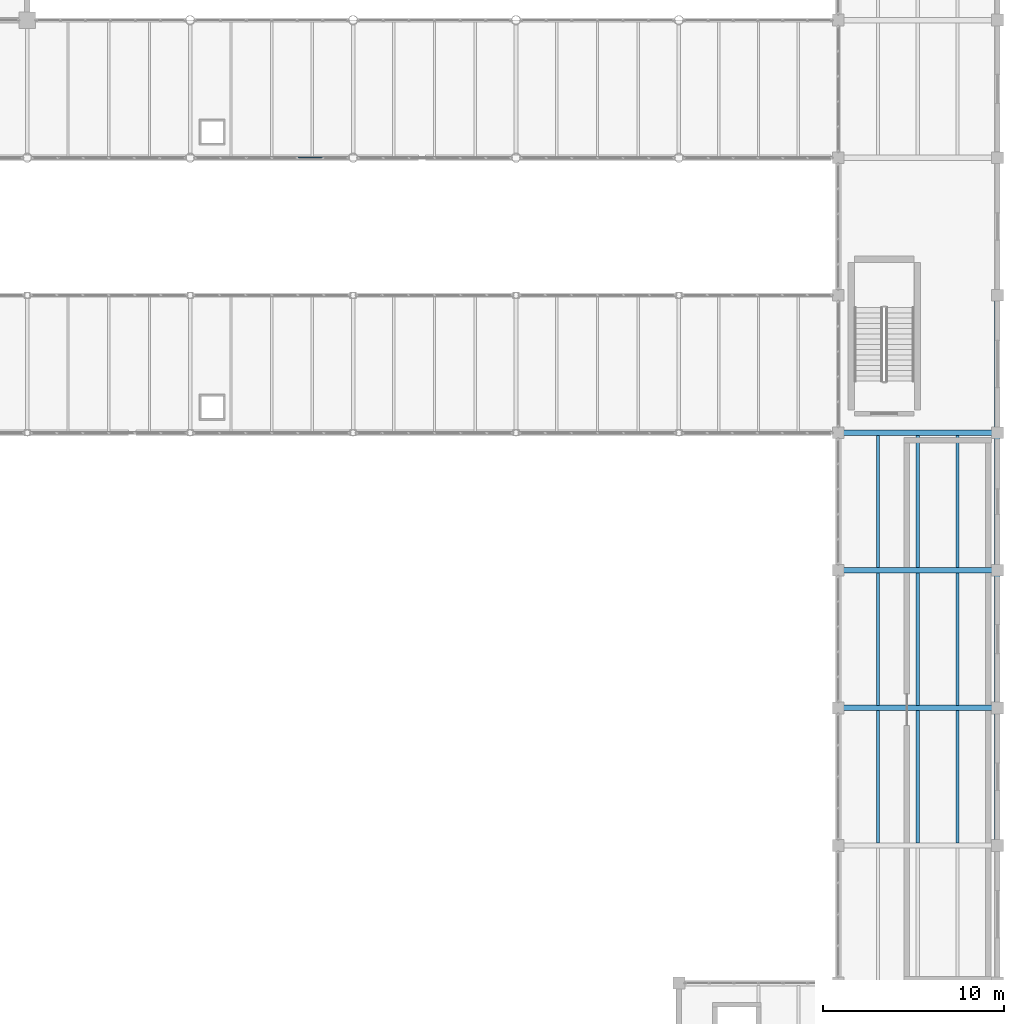
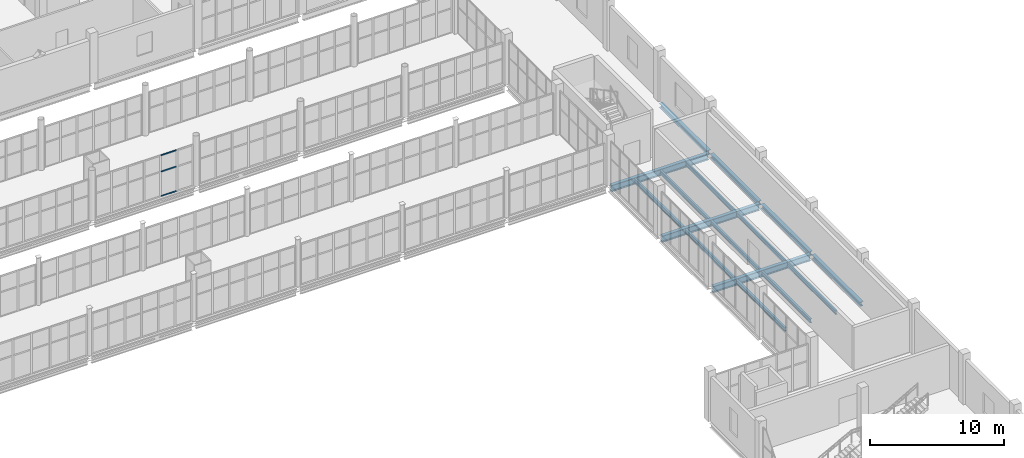
# One storey, part 109 of 172: 16 beams, 3 members, 1 element without a shape of its own.
"""IFC4 building model written with IfcOpenShell, lengths in metres."""

from ifc_helpers import new_model, si_unit, direction, frame, origin, origin_2d, place, context, subcontext, project, spatial, hollow_rectangle, i_section, extrude, material, material_profile, profile_set, type_object, element, aggregate, save


model = new_model("IFC4")

# Units and contexts
model_context = context("Model", 3, precision=1e-05, world=origin(), true_north=direction((0.0, 1.0)))
body_context = subcontext(model_context, "Body", "Model", "MODEL_VIEW")
ifc_project = project(units=[si_unit("LENGTHUNIT", "METRE"), si_unit("AREAUNIT", "SQUARE_METRE"), si_unit("VOLUMEUNIT", "CUBIC_METRE"), si_unit("PLANEANGLEUNIT", "RADIAN"), si_unit("MASSUNIT", "GRAM", prefix="KILO")], contexts=[model_context])

# Site, building, storey
site_placement = place(None, origin())
site = spatial("IfcSite", under=ifc_project, at=site_placement, CompositionType="ELEMENT")
building_placement = place(site_placement, origin())
building = spatial("IfcBuilding", under=site, at=building_placement, Name="Shengluoqiao Park Theatre", CompositionType="ELEMENT")
storey_placement = place(building_placement, frame((0.0, 0.0, 5.39990234375)))
storey = spatial("IfcBuildingStorey", under=building, at=storey_placement, Name="L01", CompositionType="ELEMENT", Elevation=5.39990234375)

# Curtain wall, members
ifc_material_1 = material(Name="Aluminium 6063-T6", Category="aluminium")
curtain_wall_type = type_object("IfcCurtainWallType", Name="ENV-CW-BRIDGE", PredefinedType="NOTDEFINED", material=ifc_material_1)
curtain_wall_placement = place(storey_placement, origin())
curtain_wall = element("IfcCurtainWall", 1, at=curtain_wall_placement, inside=storey, type_object=curtain_wall_type, Name="L01 Curtain Wall CWX-L01-0095", PredefinedType="NOTDEFINED")
ifc_material_profile_1 = material_profile(ifc_material_1, hollow_rectangle(XDim=0.06005859375, YDim=0.1201171875, WallThickness=0.00390625, InnerFilletRadius=0.00390625, OuterFilletRadius=0.008056640625, at=origin_2d()), Name="ALU TRANSOM 120x60x4")
ifc_profile_set_1 = profile_set([ifc_material_profile_1], Name="Aluminium 6063-T6")
member_type = type_object("IfcMemberType", Name="ENV-TRN-120", PredefinedType="USERDEFINED", material=ifc_profile_set_1)
member_1_placement = place(storey_placement, frame((127.343994140625, 68.39990234375, 0.030029296875), z_axis=(1.0, 0.0, 0.0), x_axis=(0.0, 1.0, 0.0)))
member_1 = element("IfcMember", 2, at=member_1_placement, type_object=member_type, Name="CW-03 transom 5.1", ObjectType="TRANSOM", PredefinedType="USERDEFINED", context=body_context, shape_type="SweptSolid", body=[
    extrude(hollow_rectangle(XDim=0.06005859375, YDim=0.1201171875, WallThickness=0.00390625, InnerFilletRadius=0.00390625, OuterFilletRadius=0.008056640625, at=origin_2d()), origin(), (0.0, 0.0, 1.0), 1.35400390625),
])
member_2_placement = place(storey_placement, frame((127.343994140625, 68.39990234375, 2.26318359375), z_axis=(1.0, 0.0, 0.0), x_axis=(0.0, 1.0, 0.0)))
member_2 = element("IfcMember", 3, at=member_2_placement, type_object=member_type, Name="CW-03 transom 5.2", ObjectType="TRANSOM", PredefinedType="USERDEFINED", context=body_context, shape_type="SweptSolid", body=[
    extrude(hollow_rectangle(XDim=0.06005859375, YDim=0.1201171875, WallThickness=0.00390625, InnerFilletRadius=0.00390625, OuterFilletRadius=0.008056640625, at=origin_2d()), origin(), (0.0, 0.0, 1.0), 1.35400390625),
])
member_3_placement = place(storey_placement, frame((127.343994140625, 68.39990234375, 3.7421875), z_axis=(1.0, 0.0, 0.0), x_axis=(0.0, 1.0, 0.0)))
member_3 = element("IfcMember", 4, at=member_3_placement, type_object=member_type, Name="CW-03 transom 5.3", ObjectType="TRANSOM", PredefinedType="USERDEFINED", context=body_context, shape_type="SweptSolid", body=[
    extrude(hollow_rectangle(XDim=0.06005859375, YDim=0.1201171875, WallThickness=0.00390625, InnerFilletRadius=0.00390625, OuterFilletRadius=0.008056640625, at=origin_2d()), origin(), (0.0, 0.0, 1.0), 1.35400390625),
])
aggregate(curtain_wall, [member_1, member_2, member_3])

# Beams
ifc_material_2 = material(Name="Steel Q355", Category="steel")
ifc_material_profile_2 = material_profile(ifc_material_2, i_section(OverallWidth=0.300048828125, OverallDepth=0.389892578125, WebThickness=0.010009765625, FlangeThickness=0.01611328125, FilletRadius=0.01806640625, at=origin_2d()), Name="HM 390x300x10x16")
ifc_profile_set_2 = profile_set([ifc_material_profile_2], Name="Steel Q355")
beam_type_1 = type_object("IfcBeamType", Name="STR-BM-G-HM390", PredefinedType="BEAM", material=ifc_profile_set_2)
for number, where, z_axis, x_axis, name in (
    (5, (166.0, 30.593994140625, -0.434814453125), (0.0, 1.0, 0.0), (-1.0, 0.0, 0.0), "L01 Transverse Girder 00744"),
    (6, (166.0, 38.194091796875, -0.434814453125), (0.0, 1.0, 0.0), (-1.0, 0.0, 0.0), "L01 Transverse Girder 00745"),
):
    element("IfcBeam", number, at=place(storey_placement, frame(where, z_axis=z_axis, x_axis=x_axis)), inside=storey, type_object=beam_type_1, Name=name, PredefinedType="BEAM", context=body_context, shape_type="SweptSolid", body=[
        extrude(i_section(OverallWidth=0.300048828125, OverallDepth=0.389892578125, WebThickness=0.010009765625, FlangeThickness=0.01611328125, FilletRadius=0.01806640625, at=origin_2d()), origin(), (0.0, 0.0, 1.0), 7.2119140625),
    ])
beam_1_placement = place(storey_placement, frame((166.0, 45.7939453125, -0.434814453125), z_axis=(0.0, 1.0, 0.0), x_axis=(-1.0, 0.0, 0.0)))
element("IfcBeam", 7, at=beam_1_placement, inside=storey, type_object=beam_type_1, Name="L01 Transverse Girder 00746", PredefinedType="BEAM", context=body_context, shape_type="SweptSolid", body=[
    extrude(i_section(OverallWidth=0.300048828125, OverallDepth=0.389892578125, WebThickness=0.010009765625, FlangeThickness=0.01611328125, FilletRadius=0.01806640625, at=origin_2d()), origin(), (0.0, 0.0, 1.0), 7.212158203125),
])
beam_2_placement = place(storey_placement, frame((166.0, 53.39404296875, -0.434814453125), z_axis=(0.0, 1.0, 0.0), x_axis=(-1.0, 0.0, 0.0)))
element("IfcBeam", 8, at=beam_2_placement, inside=storey, type_object=beam_type_1, Name="L01 Transverse Girder 00747", PredefinedType="BEAM", context=body_context, shape_type="SweptSolid", body=[
    extrude(i_section(OverallWidth=0.300048828125, OverallDepth=0.389892578125, WebThickness=0.010009765625, FlangeThickness=0.01611328125, FilletRadius=0.01806640625, at=origin_2d()), origin(), (0.0, 0.0, 1.0), 7.2119140625),
])
ifc_material_profile_3 = material_profile(ifc_material_2, i_section(OverallWidth=0.300048828125, OverallDepth=0.587890625, WebThickness=0.011962890625, FlangeThickness=0.02001953125, FilletRadius=0.02392578125, at=origin_2d()), Name="HM 588x300x12x20")
ifc_profile_set_3 = profile_set([ifc_material_profile_3], Name="Steel Q355")
beam_type_2 = type_object("IfcBeamType", Name="STR-BM-G-HM588", PredefinedType="BEAM", material=ifc_profile_set_3)
for number, where, z_axis, x_axis, name in (
    (9, (157.39794921875, 38.0, -0.533935546875), (1.0, 0.0, 0.0), (0.0, 1.0, 0.0), "L01 Primary Girder 00732"),
    (10, (157.39794921875, 45.60009765625, -0.533935546875), (1.0, 0.0, 0.0), (0.0, 1.0, 0.0), "L01 Primary Girder 00733"),
    (11, (157.39794921875, 53.199951171875, -0.533935546875), (1.0, 0.0, 0.0), (0.0, 1.0, 0.0), "L01 Primary Girder 00734"),
):
    element("IfcBeam", number, at=place(storey_placement, frame(where, z_axis=z_axis, x_axis=x_axis)), inside=storey, type_object=beam_type_2, Name=name, PredefinedType="BEAM", context=body_context, shape_type="SweptSolid", body=[
        extrude(i_section(OverallWidth=0.300048828125, OverallDepth=0.587890625, WebThickness=0.011962890625, FlangeThickness=0.02001953125, FilletRadius=0.02392578125, at=origin_2d()), origin(), (0.0, 0.0, 1.0), 8.404052734375),
    ])
ifc_material_profile_4 = material_profile(ifc_material_2, i_section(OverallWidth=0.175048828125, OverallDepth=0.35009765625, WebThickness=0.007080078125, FlangeThickness=0.010986328125, FilletRadius=0.013916015625, at=origin_2d()), Name="HN 350x175x7x11")
ifc_profile_set_4 = profile_set([ifc_material_profile_4], Name="Steel Q355")
beam_type_3 = type_object("IfcBeamType", Name="STR-BM-J-HN350", PredefinedType="JOIST", material=ifc_profile_set_4)
for number, where, z_axis, x_axis, name in (
    (12, (159.39990234375, 30.544921875, -0.414794921875), (0.0, 1.0, 0.0), (-1.0, 0.0, 0.0), "L01 Composite Joist 00754"),
    (13, (161.60009765625, 30.544921875, -0.414794921875), (0.0, 1.0, 0.0), (-1.0, 0.0, 0.0), "L01 Composite Joist 00755"),
    (14, (163.800048828125, 30.544921875, -0.414794921875), (0.0, 1.0, 0.0), (-1.0, 0.0, 0.0), "L01 Composite Joist 00756"),
    (15, (159.39990234375, 38.14501953125, -0.414794921875), (0.0, 1.0, 0.0), (-1.0, 0.0, 0.0), "L01 Composite Joist 00757"),
    (16, (161.60009765625, 38.14501953125, -0.414794921875), (0.0, 1.0, 0.0), (-1.0, 0.0, 0.0), "L01 Composite Joist 00758"),
    (17, (163.800048828125, 38.14501953125, -0.414794921875), (0.0, 1.0, 0.0), (-1.0, 0.0, 0.0), "L01 Composite Joist 00759"),
):
    element("IfcBeam", number, at=place(storey_placement, frame(where, z_axis=z_axis, x_axis=x_axis)), inside=storey, type_object=beam_type_3, Name=name, PredefinedType="JOIST", context=body_context, shape_type="SweptSolid", body=[
        extrude(i_section(OverallWidth=0.175048828125, OverallDepth=0.35009765625, WebThickness=0.007080078125, FlangeThickness=0.010986328125, FilletRadius=0.013916015625, at=origin_2d()), origin(), (0.0, 0.0, 1.0), 7.31005859375),
    ])
for number, where, z_axis, x_axis, name in (
    (18, (159.39990234375, 45.7451171875, -0.414794921875), (0.0, 1.0, 0.0), (-1.0, 0.0, 0.0), "L01 Composite Joist 00760"),
    (19, (161.60009765625, 45.7451171875, -0.414794921875), (0.0, 1.0, 0.0), (-1.0, 0.0, 0.0), "L01 Composite Joist 00761"),
    (20, (163.800048828125, 45.7451171875, -0.414794921875), (0.0, 1.0, 0.0), (-1.0, 0.0, 0.0), "L01 Composite Joist 00762"),
):
    element("IfcBeam", number, at=place(storey_placement, frame(where, z_axis=z_axis, x_axis=x_axis)), inside=storey, type_object=beam_type_3, Name=name, PredefinedType="JOIST", context=body_context, shape_type="SweptSolid", body=[
        extrude(i_section(OverallWidth=0.175048828125, OverallDepth=0.35009765625, WebThickness=0.007080078125, FlangeThickness=0.010986328125, FilletRadius=0.013916015625, at=origin_2d()), origin(), (0.0, 0.0, 1.0), 7.309814453125),
    ])

save(model, "model.ifc")
